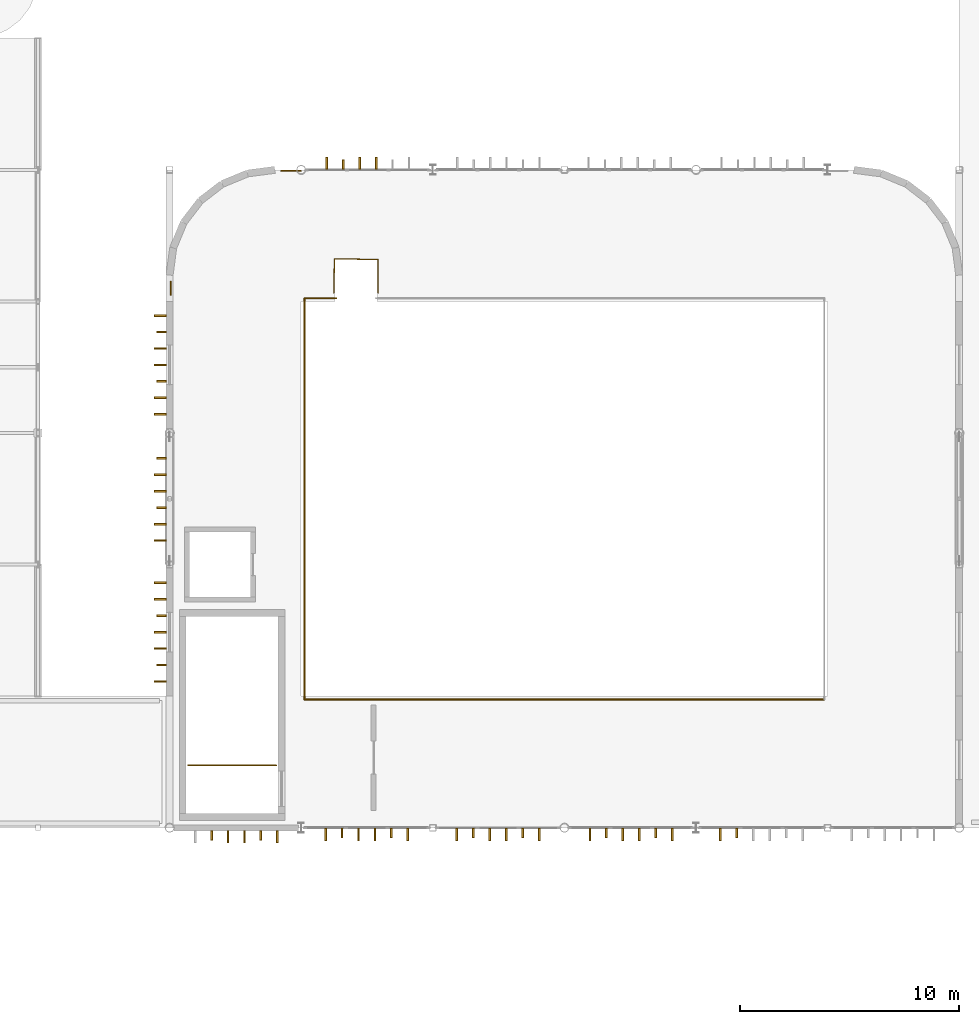
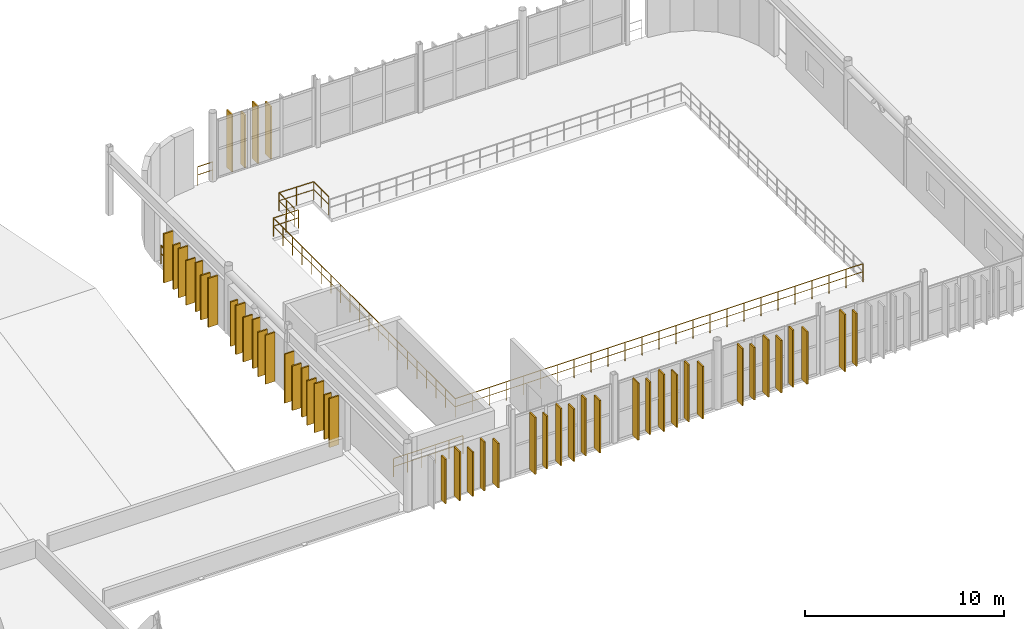
# One storey, part 77 of 83: 49 coverings, 7 railings.
"""IFC4 building model written with IfcOpenShell, lengths in metres."""

from ifc_helpers import new_model, si_unit, direction, frame, origin, origin_2d, place, context, subcontext, project, spatial, rectangle, circle, extrude, material, layer, layer_set, type_object, element, save


model = new_model("IFC4")

# Units and contexts
model_context = context("Model", 3, precision=1e-05, world=origin(), true_north=direction((0.0, 1.0)))
body_context = subcontext(model_context, "Body", "Model", "MODEL_VIEW")
ifc_project = project(units=[si_unit("LENGTHUNIT", "METRE"), si_unit("AREAUNIT", "SQUARE_METRE"), si_unit("VOLUMEUNIT", "CUBIC_METRE"), si_unit("PLANEANGLEUNIT", "RADIAN"), si_unit("MASSUNIT", "GRAM", prefix="KILO")], contexts=[model_context])

# Site, building, storey
site_placement = place(None, origin())
site = spatial("IfcSite", under=ifc_project, at=site_placement, CompositionType="ELEMENT")
building_placement = place(site_placement, origin())
building = spatial("IfcBuilding", under=site, at=building_placement, Name="Varnakota Square Police Headquarters", CompositionType="ELEMENT")
storey_placement = place(building_placement, frame((0.0, 0.0, 18.0)))
storey = spatial("IfcBuildingStorey", under=building, at=storey_placement, Name="L04", CompositionType="ELEMENT", Elevation=18.0)

# Coverings
ifc_material_1 = material(Name="White Anodised Aluminium Vertical Facade Blade 420", Category="aluminium")
ifc_layer_1 = layer(ifc_material_1, 0.0849609375, Name="White Anodised Aluminium Vertical Facade Blade 420")
ifc_layer_set_1 = layer_set([ifc_layer_1], Name="White Anodised Aluminium Vertical Facade Blade 420")
covering_type_1 = type_object("IfcCoveringType", Name="COV-FIN-420", PredefinedType="CLADDING", material=ifc_layer_set_1)
covering_1_placement = place(storey_placement, frame((61.9140625, 68.655029296875, 0.0400390625), z_axis=(0.0, 0.0, 1.0), x_axis=(1.0, 0.0, 0.0)))
element("IfcCovering", 1, at=covering_1_placement, inside=storey, type_object=covering_type_1, Name="Vertical aluminium facade fin FIN-1362", PredefinedType="CLADDING", context=body_context, shape_type="SweptSolid", body=[
    extrude(rectangle(XDim=0.0849609375, YDim=0.419921875, at=origin_2d()), origin(), (0.0, 0.0, 1.0), 2.72998046875),
])
covering_2_placement = place(storey_placement, frame((64.1640625, 68.655029296875, 0.0400390625), z_axis=(0.0, 0.0, 1.0), x_axis=(1.0, 0.0, 0.0)))
element("IfcCovering", 2, at=covering_2_placement, inside=storey, type_object=covering_type_1, Name="Vertical aluminium facade fin FIN-1365", PredefinedType="CLADDING", context=body_context, shape_type="SweptSolid", body=[
    extrude(rectangle(XDim=0.0849609375, YDim=0.419921875, at=origin_2d()), origin(), (0.0, 0.0, 1.0), 3.010009765625),
])
covering_3_placement = place(storey_placement, frame((67.862548828125, 68.762451171875, 0.0400390625), z_axis=(0.0, 0.0, 1.0), x_axis=(1.0, 0.0, 0.0)))
element("IfcCovering", 3, at=covering_3_placement, inside=storey, type_object=covering_type_1, Name="Vertical aluminium facade fin FIN-1368", PredefinedType="CLADDING", context=body_context, shape_type="SweptSolid", body=[
    extrude(rectangle(XDim=0.0849609375, YDim=0.419921875, at=origin_2d()), origin(), (0.0, 0.0, 1.0), 3.22998046875),
])
covering_4_placement = place(storey_placement, frame((70.112548828125, 68.762451171875, 0.0400390625), z_axis=(0.0, 0.0, 1.0), x_axis=(1.0, 0.0, 0.0)))
element("IfcCovering", 4, at=covering_4_placement, inside=storey, type_object=covering_type_1, Name="Vertical aluminium facade fin FIN-1371", PredefinedType="CLADDING", context=body_context, shape_type="SweptSolid", body=[
    extrude(rectangle(XDim=0.0849609375, YDim=0.419921875, at=origin_2d()), origin(), (0.0, 0.0, 1.0), 3.510009765625),
])
covering_5_placement = place(storey_placement, frame((73.848388671875, 68.762451171875, 0.0400390625), z_axis=(0.0, 0.0, 1.0), x_axis=(1.0, 0.0, 0.0)))
element("IfcCovering", 5, at=covering_5_placement, inside=storey, type_object=covering_type_1, Name="Vertical aluminium facade fin FIN-1374", PredefinedType="CLADDING", context=body_context, shape_type="SweptSolid", body=[
    extrude(rectangle(XDim=0.0849609375, YDim=0.419921875, at=origin_2d()), origin(), (0.0, 0.0, 1.0), 3.22998046875),
])
covering_6_placement = place(storey_placement, frame((76.098388671875, 68.762451171875, 0.0400390625), z_axis=(0.0, 0.0, 1.0), x_axis=(1.0, 0.0, 0.0)))
element("IfcCovering", 6, at=covering_6_placement, inside=storey, type_object=covering_type_1, Name="Vertical aluminium facade fin FIN-1377", PredefinedType="CLADDING", context=body_context, shape_type="SweptSolid", body=[
    extrude(rectangle(XDim=0.0849609375, YDim=0.419921875, at=origin_2d()), origin(), (0.0, 0.0, 1.0), 3.510009765625),
])
covering_7_placement = place(storey_placement, frame((79.9140625, 68.762451171875, 0.0400390625), z_axis=(0.0, 0.0, 1.0), x_axis=(1.0, 0.0, 0.0)))
element("IfcCovering", 7, at=covering_7_placement, inside=storey, type_object=covering_type_1, Name="Vertical aluminium facade fin FIN-1380", PredefinedType="CLADDING", context=body_context, shape_type="SweptSolid", body=[
    extrude(rectangle(XDim=0.0849609375, YDim=0.419921875, at=origin_2d()), origin(), (0.0, 0.0, 1.0), 3.22998046875),
])
covering_8_placement = place(storey_placement, frame((82.1640625, 68.762451171875, 0.0400390625), z_axis=(0.0, 0.0, 1.0), x_axis=(1.0, 0.0, 0.0)))
element("IfcCovering", 8, at=covering_8_placement, inside=storey, type_object=covering_type_1, Name="Vertical aluminium facade fin FIN-1383", PredefinedType="CLADDING", context=body_context, shape_type="SweptSolid", body=[
    extrude(rectangle(XDim=0.0849609375, YDim=0.419921875, at=origin_2d()), origin(), (0.0, 0.0, 1.0), 3.510009765625),
])
for number, where, z_axis, x_axis, name in (
    (9, (85.862548828125, 68.762451171875, 0.0400390625), (0.0, 0.0, 1.0), (1.0, 0.0, 0.0), "Vertical aluminium facade fin FIN-1386"),
    (10, (67.9140625, 99.237548828125, 0.0400390625), (0.0, 0.0, 1.0), (1.0, 0.0, 0.0), "Vertical aluminium facade fin FIN-1398"),
):
    element("IfcCovering", number, at=place(storey_placement, frame(where, z_axis=z_axis, x_axis=x_axis)), inside=storey, type_object=covering_type_1, Name=name, PredefinedType="CLADDING", context=body_context, shape_type="SweptSolid", body=[
        extrude(rectangle(XDim=0.0849609375, YDim=0.419921875, at=origin_2d()), origin(), (0.0, 0.0, 1.0), 3.22998046875),
    ])
covering_9_placement = place(storey_placement, frame((59.635009765625, 76.423095703125, 0.0400390625), z_axis=(0.0, 0.0, 1.0), x_axis=(0.0, 1.0, 0.0)))
element("IfcCovering", 11, at=covering_9_placement, inside=storey, type_object=covering_type_1, Name="Vertical aluminium facade fin FIN-1422", PredefinedType="CLADDING", context=body_context, shape_type="SweptSolid", body=[
    extrude(rectangle(XDim=0.0849609375, YDim=0.419921875, at=origin_2d()), origin(), (0.0, 0.0, 1.0), 2.72998046875),
])
for number, where, z_axis, x_axis, name in (
    (12, (59.635009765625, 78.673095703125, 0.0400390625), (0.0, 0.0, 1.0), (0.0, 1.0, 0.0), "Vertical aluminium facade fin FIN-1425"),
    (13, (59.635009765625, 83.598388671875, 0.0400390625), (0.0, 0.0, 1.0), (0.0, 1.0, 0.0), "Vertical aluminium facade fin FIN-1430"),
):
    element("IfcCovering", number, at=place(storey_placement, frame(where, z_axis=z_axis, x_axis=x_axis)), inside=storey, type_object=covering_type_1, Name=name, PredefinedType="CLADDING", context=body_context, shape_type="SweptSolid", body=[
        extrude(rectangle(XDim=0.0849609375, YDim=0.419921875, at=origin_2d()), origin(), (0.0, 0.0, 1.0), 3.010009765625),
    ])
covering_10_placement = place(storey_placement, frame((59.635009765625, 85.848388671875, 0.0400390625), z_axis=(0.0, 0.0, 1.0), x_axis=(0.0, 1.0, 0.0)))
element("IfcCovering", 14, at=covering_10_placement, inside=storey, type_object=covering_type_1, Name="Vertical aluminium facade fin FIN-1433", PredefinedType="CLADDING", context=body_context, shape_type="SweptSolid", body=[
    extrude(rectangle(XDim=0.0849609375, YDim=0.419921875, at=origin_2d()), origin(), (0.0, 0.0, 1.0), 2.72998046875),
])
covering_11_placement = place(storey_placement, frame((59.635009765625, 89.353515625, 0.0400390625), z_axis=(0.0, 0.0, 1.0), x_axis=(0.0, 1.0, 0.0)))
element("IfcCovering", 15, at=covering_11_placement, inside=storey, type_object=covering_type_1, Name="Vertical aluminium facade fin FIN-1436", PredefinedType="CLADDING", context=body_context, shape_type="SweptSolid", body=[
    extrude(rectangle(XDim=0.0849609375, YDim=0.419921875, at=origin_2d()), origin(), (0.0, 0.0, 1.0), 3.010009765625),
])
covering_12_placement = place(storey_placement, frame((59.635009765625, 91.603515625, 0.0400390625), z_axis=(0.0, 0.0, 1.0), x_axis=(0.0, 1.0, 0.0)))
element("IfcCovering", 16, at=covering_12_placement, inside=storey, type_object=covering_type_1, Name="Vertical aluminium facade fin FIN-1439", PredefinedType="CLADDING", context=body_context, shape_type="SweptSolid", body=[
    extrude(rectangle(XDim=0.0849609375, YDim=0.419921875, at=origin_2d()), origin(), (0.0, 0.0, 1.0), 2.72998046875),
])
ifc_material_2 = material(Name="White Anodised Aluminium Vertical Facade Blade 550", Category="aluminium")
ifc_layer_2 = layer(ifc_material_2, 0.0849609375, Name="White Anodised Aluminium Vertical Facade Blade 550")
ifc_layer_set_2 = layer_set([ifc_layer_2], Name="White Anodised Aluminium Vertical Facade Blade 550")
covering_type_2 = type_object("IfcCoveringType", Name="COV-FIN-550", PredefinedType="CLADDING", material=ifc_layer_set_2)
covering_13_placement = place(storey_placement, frame((62.6640625, 68.590087890625, 0.0400390625), z_axis=(0.0, 0.0, 1.0), x_axis=(1.0, 0.0, 0.0)))
element("IfcCovering", 17, at=covering_13_placement, inside=storey, type_object=covering_type_2, Name="Vertical aluminium facade fin FIN-1363", PredefinedType="CLADDING", context=body_context, shape_type="SweptSolid", body=[
    extrude(rectangle(XDim=0.0849609375, YDim=0.550048828125, at=origin_2d()), origin(), (0.0, 0.0, 1.0), 3.010009765625),
])
for number, where, z_axis, x_axis, name in (
    (18, (63.4140625, 68.590087890625, 0.0400390625), (0.0, 0.0, 1.0), (1.0, 0.0, 0.0), "Vertical aluminium facade fin FIN-1364"),
    (19, (64.9140625, 68.590087890625, 0.0400390625), (0.0, 0.0, 1.0), (1.0, 0.0, 0.0), "Vertical aluminium facade fin FIN-1366"),
):
    element("IfcCovering", number, at=place(storey_placement, frame(where, z_axis=z_axis, x_axis=x_axis)), inside=storey, type_object=covering_type_2, Name=name, PredefinedType="CLADDING", context=body_context, shape_type="SweptSolid", body=[
        extrude(rectangle(XDim=0.0849609375, YDim=0.550048828125, at=origin_2d()), origin(), (0.0, 0.0, 1.0), 2.72998046875),
    ])
for number, where, z_axis, x_axis, name in (
    (20, (67.112548828125, 68.697509765625, 0.0400390625), (0.0, 0.0, 1.0), (1.0, 0.0, 0.0), "Vertical aluminium facade fin FIN-1367"),
    (21, (68.612548828125, 68.697509765625, 0.0400390625), (0.0, 0.0, 1.0), (1.0, 0.0, 0.0), "Vertical aluminium facade fin FIN-1369"),
):
    element("IfcCovering", number, at=place(storey_placement, frame(where, z_axis=z_axis, x_axis=x_axis)), inside=storey, type_object=covering_type_2, Name=name, PredefinedType="CLADDING", context=body_context, shape_type="SweptSolid", body=[
        extrude(rectangle(XDim=0.0849609375, YDim=0.550048828125, at=origin_2d()), origin(), (0.0, 0.0, 1.0), 3.510009765625),
    ])
for number, where, z_axis, x_axis, name in (
    (22, (69.362548828125, 68.697509765625, 0.0400390625), (0.0, 0.0, 1.0), (1.0, 0.0, 0.0), "Vertical aluminium facade fin FIN-1370"),
    (23, (70.862548828125, 68.697509765625, 0.0400390625), (0.0, 0.0, 1.0), (1.0, 0.0, 0.0), "Vertical aluminium facade fin FIN-1372"),
):
    element("IfcCovering", number, at=place(storey_placement, frame(where, z_axis=z_axis, x_axis=x_axis)), inside=storey, type_object=covering_type_2, Name=name, PredefinedType="CLADDING", context=body_context, shape_type="SweptSolid", body=[
        extrude(rectangle(XDim=0.0849609375, YDim=0.550048828125, at=origin_2d()), origin(), (0.0, 0.0, 1.0), 3.22998046875),
    ])
for number, where, z_axis, x_axis, name in (
    (24, (73.098388671875, 68.697509765625, 0.0400390625), (0.0, 0.0, 1.0), (1.0, 0.0, 0.0), "Vertical aluminium facade fin FIN-1373"),
    (25, (74.598388671875, 68.697509765625, 0.0400390625), (0.0, 0.0, 1.0), (1.0, 0.0, 0.0), "Vertical aluminium facade fin FIN-1375"),
):
    element("IfcCovering", number, at=place(storey_placement, frame(where, z_axis=z_axis, x_axis=x_axis)), inside=storey, type_object=covering_type_2, Name=name, PredefinedType="CLADDING", context=body_context, shape_type="SweptSolid", body=[
        extrude(rectangle(XDim=0.0849609375, YDim=0.550048828125, at=origin_2d()), origin(), (0.0, 0.0, 1.0), 3.510009765625),
    ])
for number, where, z_axis, x_axis, name in (
    (26, (75.348388671875, 68.697509765625, 0.0400390625), (0.0, 0.0, 1.0), (1.0, 0.0, 0.0), "Vertical aluminium facade fin FIN-1376"),
    (27, (76.848388671875, 68.697509765625, 0.0400390625), (0.0, 0.0, 1.0), (1.0, 0.0, 0.0), "Vertical aluminium facade fin FIN-1378"),
):
    element("IfcCovering", number, at=place(storey_placement, frame(where, z_axis=z_axis, x_axis=x_axis)), inside=storey, type_object=covering_type_2, Name=name, PredefinedType="CLADDING", context=body_context, shape_type="SweptSolid", body=[
        extrude(rectangle(XDim=0.0849609375, YDim=0.550048828125, at=origin_2d()), origin(), (0.0, 0.0, 1.0), 3.22998046875),
    ])
for number, where, z_axis, x_axis, name in (
    (28, (79.1640625, 68.697509765625, 0.0400390625), (0.0, 0.0, 1.0), (1.0, 0.0, 0.0), "Vertical aluminium facade fin FIN-1379"),
    (29, (80.6640625, 68.697509765625, 0.0400390625), (0.0, 0.0, 1.0), (1.0, 0.0, 0.0), "Vertical aluminium facade fin FIN-1381"),
):
    element("IfcCovering", number, at=place(storey_placement, frame(where, z_axis=z_axis, x_axis=x_axis)), inside=storey, type_object=covering_type_2, Name=name, PredefinedType="CLADDING", context=body_context, shape_type="SweptSolid", body=[
        extrude(rectangle(XDim=0.0849609375, YDim=0.550048828125, at=origin_2d()), origin(), (0.0, 0.0, 1.0), 3.510009765625),
    ])
for number, where, z_axis, x_axis, name in (
    (30, (81.4140625, 68.697509765625, 0.0400390625), (0.0, 0.0, 1.0), (1.0, 0.0, 0.0), "Vertical aluminium facade fin FIN-1382"),
    (31, (82.9140625, 68.697509765625, 0.0400390625), (0.0, 0.0, 1.0), (1.0, 0.0, 0.0), "Vertical aluminium facade fin FIN-1384"),
):
    element("IfcCovering", number, at=place(storey_placement, frame(where, z_axis=z_axis, x_axis=x_axis)), inside=storey, type_object=covering_type_2, Name=name, PredefinedType="CLADDING", context=body_context, shape_type="SweptSolid", body=[
        extrude(rectangle(XDim=0.0849609375, YDim=0.550048828125, at=origin_2d()), origin(), (0.0, 0.0, 1.0), 3.22998046875),
    ])
for number, where, z_axis, x_axis, name in (
    (32, (85.112548828125, 68.697509765625, 0.0400390625), (0.0, 0.0, 1.0), (1.0, 0.0, 0.0), "Vertical aluminium facade fin FIN-1385"),
    (33, (67.1640625, 99.302490234375, 0.0400390625), (0.0, 0.0, 1.0), (1.0, 0.0, 0.0), "Vertical aluminium facade fin FIN-1397"),
    (34, (68.6640625, 99.302490234375, 0.0400390625), (0.0, 0.0, 1.0), (1.0, 0.0, 0.0), "Vertical aluminium facade fin FIN-1399"),
):
    element("IfcCovering", number, at=place(storey_placement, frame(where, z_axis=z_axis, x_axis=x_axis)), inside=storey, type_object=covering_type_2, Name=name, PredefinedType="CLADDING", context=body_context, shape_type="SweptSolid", body=[
        extrude(rectangle(XDim=0.0849609375, YDim=0.550048828125, at=origin_2d()), origin(), (0.0, 0.0, 1.0), 3.510009765625),
    ])
covering_14_placement = place(storey_placement, frame((69.4140625, 99.302490234375, 0.0400390625), z_axis=(0.0, 0.0, 1.0), x_axis=(1.0, 0.0, 0.0)))
element("IfcCovering", 35, at=covering_14_placement, inside=storey, type_object=covering_type_2, Name="Vertical aluminium facade fin FIN-1400", PredefinedType="CLADDING", context=body_context, shape_type="SweptSolid", body=[
    extrude(rectangle(XDim=0.0849609375, YDim=0.550048828125, at=origin_2d()), origin(), (0.0, 0.0, 1.0), 3.22998046875),
])
for number, where, z_axis, x_axis, name in (
    (36, (59.570068359375, 75.673095703125, 0.0400390625), (0.0, 0.0, 1.0), (0.0, 1.0, 0.0), "Vertical aluminium facade fin FIN-1421"),
    (37, (59.570068359375, 77.173095703125, 0.0400390625), (0.0, 0.0, 1.0), (0.0, 1.0, 0.0), "Vertical aluminium facade fin FIN-1423"),
):
    element("IfcCovering", number, at=place(storey_placement, frame(where, z_axis=z_axis, x_axis=x_axis)), inside=storey, type_object=covering_type_2, Name=name, PredefinedType="CLADDING", context=body_context, shape_type="SweptSolid", body=[
        extrude(rectangle(XDim=0.0849609375, YDim=0.550048828125, at=origin_2d()), origin(), (0.0, 0.0, 1.0), 3.010009765625),
    ])
for number, where, z_axis, x_axis, name in (
    (38, (59.570068359375, 77.923095703125, 0.0400390625), (0.0, 0.0, 1.0), (0.0, 1.0, 0.0), "Vertical aluminium facade fin FIN-1424"),
    (39, (59.570068359375, 79.423095703125, 0.0400390625), (0.0, 0.0, 1.0), (0.0, 1.0, 0.0), "Vertical aluminium facade fin FIN-1426"),
):
    element("IfcCovering", number, at=place(storey_placement, frame(where, z_axis=z_axis, x_axis=x_axis)), inside=storey, type_object=covering_type_2, Name=name, PredefinedType="CLADDING", context=body_context, shape_type="SweptSolid", body=[
        extrude(rectangle(XDim=0.0849609375, YDim=0.550048828125, at=origin_2d()), origin(), (0.0, 0.0, 1.0), 2.72998046875),
    ])
for number, where, z_axis, x_axis, name in (
    (40, (59.570068359375, 80.173095703125, 0.0400390625), (0.0, 0.0, 1.0), (0.0, 1.0, 0.0), "Vertical aluminium facade fin FIN-1427"),
    (41, (59.570068359375, 82.098388671875, 0.0400390625), (0.0, 0.0, 1.0), (0.0, 1.0, 0.0), "Vertical aluminium facade fin FIN-1428"),
):
    element("IfcCovering", number, at=place(storey_placement, frame(where, z_axis=z_axis, x_axis=x_axis)), inside=storey, type_object=covering_type_2, Name=name, PredefinedType="CLADDING", context=body_context, shape_type="SweptSolid", body=[
        extrude(rectangle(XDim=0.0849609375, YDim=0.550048828125, at=origin_2d()), origin(), (0.0, 0.0, 1.0), 3.010009765625),
    ])
for number, where, z_axis, x_axis, name in (
    (42, (59.570068359375, 82.848388671875, 0.0400390625), (0.0, 0.0, 1.0), (0.0, 1.0, 0.0), "Vertical aluminium facade fin FIN-1429"),
    (43, (59.570068359375, 84.348388671875, 0.0400390625), (0.0, 0.0, 1.0), (0.0, 1.0, 0.0), "Vertical aluminium facade fin FIN-1431"),
):
    element("IfcCovering", number, at=place(storey_placement, frame(where, z_axis=z_axis, x_axis=x_axis)), inside=storey, type_object=covering_type_2, Name=name, PredefinedType="CLADDING", context=body_context, shape_type="SweptSolid", body=[
        extrude(rectangle(XDim=0.0849609375, YDim=0.550048828125, at=origin_2d()), origin(), (0.0, 0.0, 1.0), 2.72998046875),
    ])
for number, where, z_axis, x_axis, name in (
    (44, (59.570068359375, 85.098388671875, 0.0400390625), (0.0, 0.0, 1.0), (0.0, 1.0, 0.0), "Vertical aluminium facade fin FIN-1432"),
    (45, (59.570068359375, 87.853515625, 0.0400390625), (0.0, 0.0, 1.0), (0.0, 1.0, 0.0), "Vertical aluminium facade fin FIN-1434"),
):
    element("IfcCovering", number, at=place(storey_placement, frame(where, z_axis=z_axis, x_axis=x_axis)), inside=storey, type_object=covering_type_2, Name=name, PredefinedType="CLADDING", context=body_context, shape_type="SweptSolid", body=[
        extrude(rectangle(XDim=0.0849609375, YDim=0.550048828125, at=origin_2d()), origin(), (0.0, 0.0, 1.0), 3.010009765625),
    ])
for number, where, z_axis, x_axis, name in (
    (46, (59.570068359375, 88.603515625, 0.0400390625), (0.0, 0.0, 1.0), (0.0, 1.0, 0.0), "Vertical aluminium facade fin FIN-1435"),
    (47, (59.570068359375, 90.103515625, 0.0400390625), (0.0, 0.0, 1.0), (0.0, 1.0, 0.0), "Vertical aluminium facade fin FIN-1437"),
):
    element("IfcCovering", number, at=place(storey_placement, frame(where, z_axis=z_axis, x_axis=x_axis)), inside=storey, type_object=covering_type_2, Name=name, PredefinedType="CLADDING", context=body_context, shape_type="SweptSolid", body=[
        extrude(rectangle(XDim=0.0849609375, YDim=0.550048828125, at=origin_2d()), origin(), (0.0, 0.0, 1.0), 2.72998046875),
    ])
for number, where, z_axis, x_axis, name in (
    (48, (59.570068359375, 90.853515625, 0.0400390625), (0.0, 0.0, 1.0), (0.0, 1.0, 0.0), "Vertical aluminium facade fin FIN-1438"),
    (49, (59.570068359375, 92.353515625, 0.0400390625), (0.0, 0.0, 1.0), (0.0, 1.0, 0.0), "Vertical aluminium facade fin FIN-1440"),
):
    element("IfcCovering", number, at=place(storey_placement, frame(where, z_axis=z_axis, x_axis=x_axis)), inside=storey, type_object=covering_type_2, Name=name, PredefinedType="CLADDING", context=body_context, shape_type="SweptSolid", body=[
        extrude(rectangle(XDim=0.0849609375, YDim=0.550048828125, at=origin_2d()), origin(), (0.0, 0.0, 1.0), 3.010009765625),
    ])

# Railings
ifc_material_3 = material(Name="Galvanised Powder-Coated Steel Guardrail", Category="steel")
railing_type_1 = type_object("IfcRailingType", Name="RL-BAL-1150", PredefinedType="BALUSTRADE", material=ifc_material_3)
railing_1_placement = place(storey_placement, frame((65.095703125, 98.949951171875, 0.0)))
element("IfcRailing", 50, at=railing_1_placement, inside=storey, type_object=railing_type_1, Name="Perimeter edge safety guard GD-AUTO-L04-081", PredefinedType="BALUSTRADE", context=body_context, shape_type="SweptSolid", body=[
    extrude(circle(Radius=0.02392578125, at=origin_2d()), frame((0.0, 0.0, 1.1259765625), z_axis=(1.0, 0.0, 0.0), x_axis=(0.0, 1.0, 0.0)), (0.0, 0.0, 1.0), 0.8779296875),
    extrude(circle(Radius=0.01806640625, at=origin_2d()), frame((0.0, 0.0, 0.63232421875), z_axis=(1.0, 0.0, 0.0), x_axis=(0.0, 1.0, 0.0)), (0.0, 0.0, 1.0), 0.8779296875),
    extrude(circle(Radius=0.02099609375, at=origin_2d()), origin(), (0.0, 0.0, 1.0), 1.101806640625),
    extrude(circle(Radius=0.02099609375, at=origin_2d()), frame((0.8779296875, 0.0, 0.0)), (0.0, 0.0, 1.0), 1.101806640625),
])
railing_2_placement = place(storey_placement, frame((60.050048828125, 93.29541015625, 0.0)))
element("IfcRailing", 51, at=railing_2_placement, inside=storey, type_object=railing_type_1, Name="Perimeter edge safety guard GD-AUTO-L04-083", PredefinedType="BALUSTRADE", context=body_context, shape_type="SweptSolid", body=[
    extrude(circle(Radius=0.02392578125, at=origin_2d()), frame((0.0, 0.0, 1.1259765625), z_axis=(0.0, 1.0, 0.0), x_axis=(-1.0, 0.0, 0.0)), (0.0, 0.0, 1.0), 0.60888671875),
    extrude(circle(Radius=0.01806640625, at=origin_2d()), frame((0.0, 0.0, 0.63232421875), z_axis=(0.0, 1.0, 0.0), x_axis=(-1.0, 0.0, 0.0)), (0.0, 0.0, 1.0), 0.60888671875),
    extrude(circle(Radius=0.02099609375, at=origin_2d()), origin(), (0.0, 0.0, 1.0), 1.101806640625),
    extrude(circle(Radius=0.02099609375, at=origin_2d()), frame((0.0, 0.60888671875, 0.0)), (0.0, 0.0, 1.0), 1.101806640625),
])
railing_3_placement = place(storey_placement, frame((69.5048828125, 93.389892578125, 0.0)))
element("IfcRailing", 52, at=railing_3_placement, inside=storey, type_object=railing_type_1, Name="Perimeter edge safety guard GD-AUTO-L04-084", PredefinedType="BALUSTRADE", context=body_context, shape_type="SweptSolid", body=[
    extrude(circle(Radius=0.02392578125, at=origin_2d()), frame((0.0, 0.0, 1.1259765625), z_axis=(0.0, 1.0, 0.0), x_axis=(-1.0, 0.0, 0.0)), (0.0, 0.0, 1.0), 1.51513671875),
    extrude(circle(Radius=0.01806640625, at=origin_2d()), frame((0.0, 0.0, 0.63232421875), z_axis=(0.0, 1.0, 0.0), x_axis=(-1.0, 0.0, 0.0)), (0.0, 0.0, 1.0), 1.51513671875),
    extrude(circle(Radius=0.02392578125, at=origin_2d()), frame((0.0, 1.51513671875, 1.1259765625), z_axis=(-0.999812502872, 0.019363860683, 0.0), x_axis=(-0.019363860683, -0.999812502872, 0.0)), (0.0, 0.0, 1.0), 1.9921875),
    extrude(circle(Radius=0.01806640625, at=origin_2d()), frame((0.0, 1.51513671875, 0.63232421875), z_axis=(-0.999812502872, 0.019363860683, 0.0), x_axis=(-0.019363860683, -0.999812502872, 0.0)), (0.0, 0.0, 1.0), 1.9921875),
    extrude(circle(Radius=0.02392578125, at=origin_2d()), frame((-1.99169921875, 1.5537109375, 1.1259765625), z_axis=(-0.011627120962, -0.999932402744, 0.0), x_axis=(0.999932402744, -0.011627120962, 0.0)), (0.0, 0.0, 1.0), 1.5537109375),
    extrude(circle(Radius=0.01806640625, at=origin_2d()), frame((-1.99169921875, 1.5537109375, 0.63232421875), z_axis=(-0.011627120962, -0.999932402744, 0.0), x_axis=(0.999932402744, -0.011627120962, 0.0)), (0.0, 0.0, 1.0), 1.5537109375),
    extrude(circle(Radius=0.02099609375, at=origin_2d()), origin(), (0.0, 0.0, 1.0), 1.101806640625),
    extrude(circle(Radius=0.02099609375, at=origin_2d()), frame((0.0, 0.757568359375, 0.0)), (0.0, 0.0, 1.0), 1.101806640625),
    extrude(circle(Radius=0.02099609375, at=origin_2d()), frame((0.0, 1.51513671875, 0.0)), (0.0, 0.0, 1.0), 1.101806640625),
    extrude(circle(Radius=0.02099609375, at=origin_2d()), frame((-0.995849609375, 1.534423828125, 0.0)), (0.0, 0.0, 1.0), 1.101806640625),
    extrude(circle(Radius=0.02099609375, at=origin_2d()), frame((-1.99169921875, 1.5537109375, 0.0)), (0.0, 0.0, 1.0), 1.101806640625),
    extrude(circle(Radius=0.02099609375, at=origin_2d()), frame((-2.000732421875, 0.77685546875, 0.0)), (0.0, 0.0, 1.0), 1.101806640625),
    extrude(circle(Radius=0.02099609375, at=origin_2d()), frame((-2.009765625, 0.0, 0.0)), (0.0, 0.0, 1.0), 1.101806640625),
])
ifc_material_4 = material(Name="Laminated Glass and Stainless Steel Balustrade", Category="steel")
railing_type_2 = type_object("IfcRailingType", Name="RL-INT-1150", PredefinedType="BALUSTRADE", material=ifc_material_4)
railing_4_placement = place(storey_placement, frame((60.840087890625, 71.85009765625, 0.0)))
element("IfcRailing", 53, at=railing_4_placement, inside=storey, type_object=railing_type_2, Name="Stair well safety guard C6 L04", PredefinedType="BALUSTRADE", context=body_context, shape_type="SweptSolid", body=[
    extrude(circle(Radius=0.02392578125, at=origin_2d()), frame((0.0, 0.0, 1.1259765625), z_axis=(1.0, 0.0, 0.0), x_axis=(0.0, 1.0, 0.0)), (0.0, 0.0, 1.0), 4.02001953125),
    extrude(circle(Radius=0.01806640625, at=origin_2d()), frame((0.0, 0.0, 0.63232421875), z_axis=(1.0, 0.0, 0.0), x_axis=(0.0, 1.0, 0.0)), (0.0, 0.0, 1.0), 4.02001953125),
    extrude(circle(Radius=0.02099609375, at=origin_2d()), origin(), (0.0, 0.0, 1.0), 1.101806640625),
    extrude(circle(Radius=0.02099609375, at=origin_2d()), frame((0.803955078125, 0.0, 0.0)), (0.0, 0.0, 1.0), 1.101806640625),
    extrude(circle(Radius=0.02099609375, at=origin_2d()), frame((1.60791015625, 0.0, 0.0)), (0.0, 0.0, 1.0), 1.101806640625),
    extrude(circle(Radius=0.02099609375, at=origin_2d()), frame((2.412109375, 0.0, 0.0)), (0.0, 0.0, 1.0), 1.101806640625),
    extrude(circle(Radius=0.02099609375, at=origin_2d()), frame((3.216064453125, 0.0, 0.0)), (0.0, 0.0, 1.0), 1.101806640625),
    extrude(circle(Radius=0.02099609375, at=origin_2d()), frame((4.02001953125, 0.0, 0.0)), (0.0, 0.0, 1.0), 1.101806640625),
])
railing_5_placement = place(storey_placement, frame((66.14990234375, 74.85009765625, 0.0)))
element("IfcRailing", 54, at=railing_5_placement, inside=storey, type_object=railing_type_2, Name="Crisis gallery balustrade", PredefinedType="BALUSTRADE", context=body_context, shape_type="SweptSolid", body=[
    extrude(circle(Radius=0.02392578125, at=origin_2d()), frame((0.0, 0.0, 1.1259765625), z_axis=(1.0, 0.0, 0.0), x_axis=(0.0, 1.0, 0.0)), (0.0, 0.0, 1.0), 23.7001953125),
    extrude(circle(Radius=0.01806640625, at=origin_2d()), frame((0.0, 0.0, 0.63232421875), z_axis=(1.0, 0.0, 0.0), x_axis=(0.0, 1.0, 0.0)), (0.0, 0.0, 1.0), 23.7001953125),
    extrude(circle(Radius=0.02099609375, at=origin_2d()), origin(), (0.0, 0.0, 1.0), 1.101806640625),
    extrude(circle(Radius=0.02099609375, at=origin_2d()), frame((0.987548828125, 0.0, 0.0)), (0.0, 0.0, 1.0), 1.101806640625),
    extrude(circle(Radius=0.02099609375, at=origin_2d()), frame((1.97509765625, 0.0, 0.0)), (0.0, 0.0, 1.0), 1.101806640625),
    extrude(circle(Radius=0.02099609375, at=origin_2d()), frame((2.96240234375, 0.0, 0.0)), (0.0, 0.0, 1.0), 1.101806640625),
    extrude(circle(Radius=0.02099609375, at=origin_2d()), frame((3.949951171875, 0.0, 0.0)), (0.0, 0.0, 1.0), 1.101806640625),
    extrude(circle(Radius=0.02099609375, at=origin_2d()), frame((4.9375, 0.0, 0.0)), (0.0, 0.0, 1.0), 1.101806640625),
    extrude(circle(Radius=0.02099609375, at=origin_2d()), frame((5.925048828125, 0.0, 0.0)), (0.0, 0.0, 1.0), 1.101806640625),
    extrude(circle(Radius=0.02099609375, at=origin_2d()), frame((6.91259765625, 0.0, 0.0)), (0.0, 0.0, 1.0), 1.101806640625),
    extrude(circle(Radius=0.02099609375, at=origin_2d()), frame((7.900146484375, 0.0, 0.0)), (0.0, 0.0, 1.0), 1.101806640625),
    extrude(circle(Radius=0.02099609375, at=origin_2d()), frame((8.8876953125, 0.0, 0.0)), (0.0, 0.0, 1.0), 1.101806640625),
    extrude(circle(Radius=0.02099609375, at=origin_2d()), frame((9.875, 0.0, 0.0)), (0.0, 0.0, 1.0), 1.101806640625),
    extrude(circle(Radius=0.02099609375, at=origin_2d()), frame((10.862548828125, 0.0, 0.0)), (0.0, 0.0, 1.0), 1.101806640625),
    extrude(circle(Radius=0.02099609375, at=origin_2d()), frame((11.85009765625, 0.0, 0.0)), (0.0, 0.0, 1.0), 1.101806640625),
    extrude(circle(Radius=0.02099609375, at=origin_2d()), frame((12.837646484375, 0.0, 0.0)), (0.0, 0.0, 1.0), 1.101806640625),
    extrude(circle(Radius=0.02099609375, at=origin_2d()), frame((13.8251953125, 0.0, 0.0)), (0.0, 0.0, 1.0), 1.101806640625),
    extrude(circle(Radius=0.02099609375, at=origin_2d()), frame((14.8125, 0.0, 0.0)), (0.0, 0.0, 1.0), 1.101806640625),
    extrude(circle(Radius=0.02099609375, at=origin_2d()), frame((15.800048828125, 0.0, 0.0)), (0.0, 0.0, 1.0), 1.101806640625),
    extrude(circle(Radius=0.02099609375, at=origin_2d()), frame((16.78759765625, 0.0, 0.0)), (0.0, 0.0, 1.0), 1.101806640625),
    extrude(circle(Radius=0.02099609375, at=origin_2d()), frame((17.775146484375, 0.0, 0.0)), (0.0, 0.0, 1.0), 1.101806640625),
    extrude(circle(Radius=0.02099609375, at=origin_2d()), frame((18.7626953125, 0.0, 0.0)), (0.0, 0.0, 1.0), 1.101806640625),
    extrude(circle(Radius=0.02099609375, at=origin_2d()), frame((19.750244140625, 0.0, 0.0)), (0.0, 0.0, 1.0), 1.101806640625),
    extrude(circle(Radius=0.02099609375, at=origin_2d()), frame((20.73779296875, 0.0, 0.0)), (0.0, 0.0, 1.0), 1.101806640625),
    extrude(circle(Radius=0.02099609375, at=origin_2d()), frame((21.72509765625, 0.0, 0.0)), (0.0, 0.0, 1.0), 1.101806640625),
    extrude(circle(Radius=0.02099609375, at=origin_2d()), frame((22.712646484375, 0.0, 0.0)), (0.0, 0.0, 1.0), 1.101806640625),
    extrude(circle(Radius=0.02099609375, at=origin_2d()), frame((23.7001953125, 0.0, 0.0)), (0.0, 0.0, 1.0), 1.101806640625),
])
railing_6_placement = place(storey_placement, frame((67.60009765625, 93.14990234375, 0.0)))
element("IfcRailing", 55, at=railing_6_placement, inside=storey, type_object=railing_type_2, Name="Crisis gallery balustrade", PredefinedType="BALUSTRADE", context=body_context, shape_type="SweptSolid", body=[
    extrude(circle(Radius=0.02392578125, at=origin_2d()), frame((0.0, 0.0, 1.1259765625), z_axis=(-1.0, 0.0, 0.0), x_axis=(0.0, -1.0, 0.0)), (0.0, 0.0, 1.0), 1.4501953125),
    extrude(circle(Radius=0.01806640625, at=origin_2d()), frame((0.0, 0.0, 0.63232421875), z_axis=(-1.0, 0.0, 0.0), x_axis=(0.0, -1.0, 0.0)), (0.0, 0.0, 1.0), 1.4501953125),
    extrude(circle(Radius=0.02099609375, at=origin_2d()), origin(), (0.0, 0.0, 1.0), 1.101806640625),
    extrude(circle(Radius=0.02099609375, at=origin_2d()), frame((-0.72509765625, 0.0, 0.0)), (0.0, 0.0, 1.0), 1.101806640625),
    extrude(circle(Radius=0.02099609375, at=origin_2d()), frame((-1.4501953125, 0.0, 0.0)), (0.0, 0.0, 1.0), 1.101806640625),
])
railing_7_placement = place(storey_placement, frame((66.14990234375, 93.14990234375, 0.0)))
element("IfcRailing", 56, at=railing_7_placement, inside=storey, type_object=railing_type_2, Name="Crisis gallery balustrade", PredefinedType="BALUSTRADE", context=body_context, shape_type="SweptSolid", body=[
    extrude(circle(Radius=0.02392578125, at=origin_2d()), frame((0.0, 0.0, 1.1259765625), z_axis=(0.0, -1.0, 0.0), x_axis=(1.0, 0.0, 0.0)), (0.0, 0.0, 1.0), 18.2998046875),
    extrude(circle(Radius=0.01806640625, at=origin_2d()), frame((0.0, 0.0, 0.63232421875), z_axis=(0.0, -1.0, 0.0), x_axis=(1.0, 0.0, 0.0)), (0.0, 0.0, 1.0), 18.2998046875),
    extrude(circle(Radius=0.02099609375, at=origin_2d()), origin(), (0.0, 0.0, 1.0), 1.101806640625),
    extrude(circle(Radius=0.02099609375, at=origin_2d()), frame((0.0, -0.963134765625, 0.0)), (0.0, 0.0, 1.0), 1.101806640625),
    extrude(circle(Radius=0.02099609375, at=origin_2d()), frame((0.0, -1.92626953125, 0.0)), (0.0, 0.0, 1.0), 1.101806640625),
    extrude(circle(Radius=0.02099609375, at=origin_2d()), frame((0.0, -2.889404296875, 0.0)), (0.0, 0.0, 1.0), 1.101806640625),
    extrude(circle(Radius=0.02099609375, at=origin_2d()), frame((0.0, -3.8525390625, 0.0)), (0.0, 0.0, 1.0), 1.101806640625),
    extrude(circle(Radius=0.02099609375, at=origin_2d()), frame((0.0, -4.815673828125, 0.0)), (0.0, 0.0, 1.0), 1.101806640625),
    extrude(circle(Radius=0.02099609375, at=origin_2d()), frame((0.0, -5.77880859375, 0.0)), (0.0, 0.0, 1.0), 1.101806640625),
    extrude(circle(Radius=0.02099609375, at=origin_2d()), frame((0.0, -6.741943359375, 0.0)), (0.0, 0.0, 1.0), 1.101806640625),
    extrude(circle(Radius=0.02099609375, at=origin_2d()), frame((0.0, -7.705078125, 0.0)), (0.0, 0.0, 1.0), 1.101806640625),
    extrude(circle(Radius=0.02099609375, at=origin_2d()), frame((0.0, -8.668212890625, 0.0)), (0.0, 0.0, 1.0), 1.101806640625),
    extrude(circle(Radius=0.02099609375, at=origin_2d()), frame((0.0, -9.631591796875, 0.0)), (0.0, 0.0, 1.0), 1.101806640625),
    extrude(circle(Radius=0.02099609375, at=origin_2d()), frame((0.0, -10.5947265625, 0.0)), (0.0, 0.0, 1.0), 1.101806640625),
    extrude(circle(Radius=0.02099609375, at=origin_2d()), frame((0.0, -11.557861328125, 0.0)), (0.0, 0.0, 1.0), 1.101806640625),
    extrude(circle(Radius=0.02099609375, at=origin_2d()), frame((0.0, -12.52099609375, 0.0)), (0.0, 0.0, 1.0), 1.101806640625),
    extrude(circle(Radius=0.02099609375, at=origin_2d()), frame((0.0, -13.484130859375, 0.0)), (0.0, 0.0, 1.0), 1.101806640625),
    extrude(circle(Radius=0.02099609375, at=origin_2d()), frame((0.0, -14.447265625, 0.0)), (0.0, 0.0, 1.0), 1.101806640625),
    extrude(circle(Radius=0.02099609375, at=origin_2d()), frame((0.0, -15.410400390625, 0.0)), (0.0, 0.0, 1.0), 1.101806640625),
    extrude(circle(Radius=0.02099609375, at=origin_2d()), frame((0.0, -16.37353515625, 0.0)), (0.0, 0.0, 1.0), 1.101806640625),
    extrude(circle(Radius=0.02099609375, at=origin_2d()), frame((0.0, -17.336669921875, 0.0)), (0.0, 0.0, 1.0), 1.101806640625),
    extrude(circle(Radius=0.02099609375, at=origin_2d()), frame((0.0, -18.2998046875, 0.0)), (0.0, 0.0, 1.0), 1.101806640625),
])

save(model, "model.ifc")
